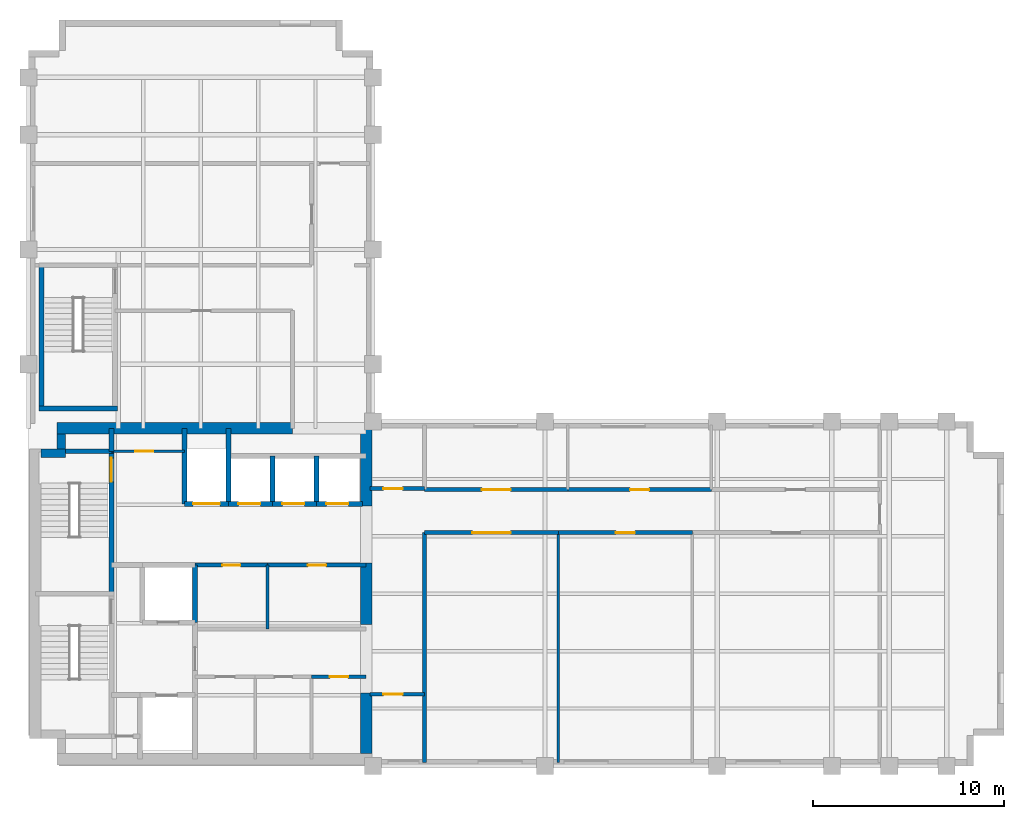
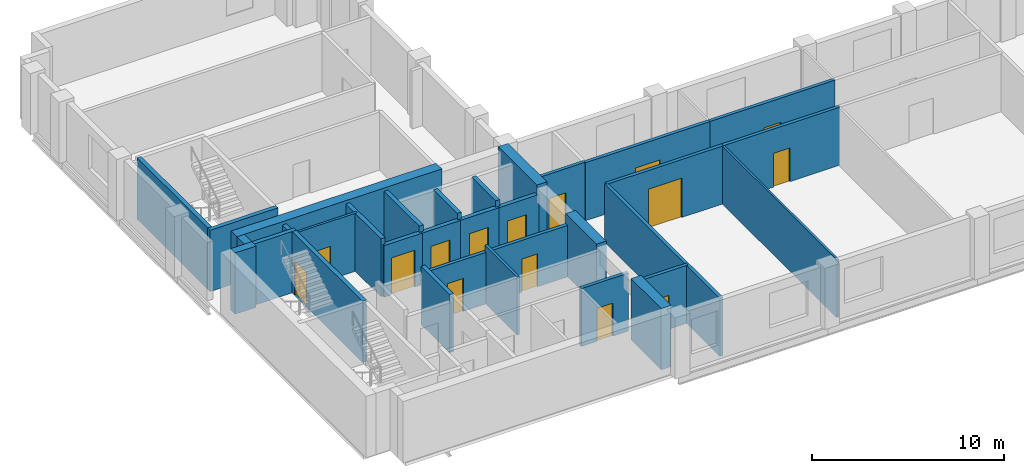
# One storey, part 3 of 6: 33 walls, 15 doors, 15 openings.
"""IFC4 building model written with IfcOpenShell, lengths in metres."""

from ifc_helpers import new_model, si_unit, direction, frame, frame_2d, origin, place, context, subcontext, project, spatial, rectangle, extrude, material, layer, layer_set, type_object, element, fill, save


model = new_model("IFC4")

# Units and contexts
model_context = context("Model", 3, precision=1e-05, world=origin(), true_north=direction((0.0, 1.0)))
body_context = subcontext(model_context, "Body", "Model", "MODEL_VIEW")
ifc_project = project(units=[si_unit("LENGTHUNIT", "METRE"), si_unit("AREAUNIT", "SQUARE_METRE"), si_unit("VOLUMEUNIT", "CUBIC_METRE"), si_unit("PLANEANGLEUNIT", "RADIAN"), si_unit("MASSUNIT", "GRAM", prefix="KILO")], contexts=[model_context])

# Site, building, storey
site_placement = place(None, origin())
site = spatial("IfcSite", under=ifc_project, at=site_placement, CompositionType="ELEMENT")
building_placement = place(site_placement, origin())
building = spatial("IfcBuilding", under=site, at=building_placement, Name="Mawjdan Bourse Tower", CompositionType="ELEMENT")
storey_placement = place(building_placement, frame((0.0, 0.0, 207.300048828125)))
storey = spatial("IfcBuildingStorey", under=building, at=storey_placement, Name="L50", CompositionType="ELEMENT", Elevation=207.300048828125)

# Wall, opening, door
ifc_material_1 = material(Name="Gypsum Fireboard Assembly")
ifc_layer_1 = layer(ifc_material_1, 0.199951171875)
ifc_layer_set_1 = layer_set([ifc_layer_1], Name="Gypsum Fireboard Assembly")
wall_type_1 = type_object("IfcWallType", Name="WL-CMP-200", PredefinedType="PARTITIONING", material=ifc_layer_set_1)
wall_1_placement = place(storey_placement, frame((20.800048828125, 7.659912109375, 0.0), z_axis=(0.0, 0.0, 1.0), x_axis=(1.0, 0.0, 0.0)))
wall_1 = element("IfcWall", 1, at=wall_1_placement, inside=storey, type_object=wall_type_1, Name="L50 Staff Beverage Pantry North Wall", PredefinedType="PARTITIONING", context=body_context, shape_type="SweptSolid", body=[
    extrude(rectangle(XDim=2.849853515625, YDim=0.199951171875, at=frame_2d((1.4248046875, 0.0))), origin(), (0.0, 0.0, 1.0), 3.68994140625),
])
opening_1_placement = place(wall_1_placement, frame((0.949951171875, 0.0, 0.0)))
opening_1 = element("IfcOpeningElement", 2, at=opening_1_placement, cuts=wall_1, Name="Opening D-L50-15", PredefinedType="OPENING", context=body_context, shape_type="SweptSolid", body=[
    extrude(rectangle(XDim=0.949951171875, YDim=2.10009765625, at=frame_2d((0.47509765625, 1.050048828125))), frame((0.0, 0.10986328125, 0.0), z_axis=(0.0, -1.0, 0.0), x_axis=(1.0, 0.0, 0.0)), (0.0, 0.0, 1.0), 0.219970703125),
])
ifc_material_2 = material(Name="Moisture-Resistant Laminate Timber", Category="wood")
door_type_1 = type_object("IfcDoorType", Name="DR-WET-0950", OperationType="NOTDEFINED", PredefinedType="DOOR", material=ifc_material_2)
door_1_placement = place(opening_1_placement, origin())
door_1 = element("IfcDoor", 3, at=door_1_placement, inside=storey, type_object=door_type_1, Name="L50 Staff Beverage Pantry Door D-L50-15", OperationType="SINGLE_SWING_LEFT", OverallHeight=2.10009765625, OverallWidth=0.949951171875, PredefinedType="DOOR", context=body_context, shape_type="SweptSolid", body=[
    extrude(rectangle(XDim=0.949951171875, YDim=2.10009765625, at=frame_2d((0.47509765625, 1.050048828125))), frame((0.0, 0.02490234375, 0.0), z_axis=(0.0, -1.0, 0.0), x_axis=(1.0, 0.0, 0.0)), (0.0, 0.0, 1.0), 0.050048828125),
])
fill(opening_1, door_1)

wall_2_placement = place(storey_placement, frame((14.699951171875, 13.5, 0.0), z_axis=(0.0, 0.0, 1.0), x_axis=(1.0, 0.0, 0.0)))
wall_2 = element("IfcWall", 4, at=wall_2_placement, inside=storey, type_object=wall_type_1, Name="L50 Accessible WC North Wall", PredefinedType="PARTITIONING", context=body_context, shape_type="SweptSolid", body=[
    extrude(rectangle(XDim=3.800048828125, YDim=0.199951171875, at=frame_2d((1.89990234375, 0.0))), origin(), (0.0, 0.0, 1.0), 3.282958984375),
])
opening_2_placement = place(wall_2_placement, frame((1.425048828125, 0.0, 0.0)))
opening_2 = element("IfcOpeningElement", 5, at=opening_2_placement, cuts=wall_2, Name="Opening D-L50-16", PredefinedType="OPENING", context=body_context, shape_type="SweptSolid", body=[
    extrude(rectangle(XDim=0.949951171875, YDim=2.10009765625, at=frame_2d((0.47509765625, 1.050048828125))), frame((0.0, 0.10986328125, 0.0), z_axis=(0.0, -1.0, 0.0), x_axis=(1.0, 0.0, 0.0)), (0.0, 0.0, 1.0), 0.219970703125),
])
door_2_placement = place(opening_2_placement, origin())
door_2 = element("IfcDoor", 6, at=door_2_placement, inside=storey, type_object=door_type_1, Name="L50 Accessible WC Door D-L50-16", OperationType="SINGLE_SWING_RIGHT", OverallHeight=2.10009765625, OverallWidth=0.949951171875, PredefinedType="DOOR", context=body_context, shape_type="SweptSolid", body=[
    extrude(rectangle(XDim=0.949951171875, YDim=2.10009765625, at=frame_2d((0.47509765625, 1.050048828125))), frame((0.0, 0.02490234375, 0.0), z_axis=(0.0, -1.0, 0.0), x_axis=(1.0, 0.0, 0.0)), (0.0, 0.0, 1.0), 0.050048828125),
])
fill(opening_2, door_2)

wall_3_placement = place(storey_placement, frame((18.5, 13.5, 0.0), z_axis=(0.0, 0.0, 1.0), x_axis=(1.0, 0.0, 0.0)))
wall_3 = element("IfcWall", 7, at=wall_3_placement, inside=storey, type_object=wall_type_1, Name="L50 Female Restroom North Wall", PredefinedType="PARTITIONING", context=body_context, shape_type="SweptSolid", body=[
    extrude(rectangle(XDim=5.14990234375, YDim=0.199951171875, at=frame_2d((2.574951171875, 0.0))), origin(), (0.0, 0.0, 1.0), 3.282958984375),
])
opening_3_placement = place(wall_3_placement, frame((2.10009765625, 0.0, 0.0)))
opening_3 = element("IfcOpeningElement", 8, at=opening_3_placement, cuts=wall_3, Name="Opening D-L50-17", PredefinedType="OPENING", context=body_context, shape_type="SweptSolid", body=[
    extrude(rectangle(XDim=0.949951171875, YDim=2.10009765625, at=frame_2d((0.47509765625, 1.050048828125))), frame((0.0, 0.10986328125, 0.0), z_axis=(0.0, -1.0, 0.0), x_axis=(1.0, 0.0, 0.0)), (0.0, 0.0, 1.0), 0.219970703125),
])
door_3_placement = place(opening_3_placement, origin())
door_3 = element("IfcDoor", 9, at=door_3_placement, inside=storey, type_object=door_type_1, Name="L50 Female Restroom Door D-L50-17", OperationType="SINGLE_SWING_LEFT", OverallHeight=2.10009765625, OverallWidth=0.949951171875, PredefinedType="DOOR", context=body_context, shape_type="SweptSolid", body=[
    extrude(rectangle(XDim=0.949951171875, YDim=2.10009765625, at=frame_2d((0.47509765625, 1.050048828125))), frame((0.0, 0.02490234375, 0.0), z_axis=(0.0, -1.0, 0.0), x_axis=(1.0, 0.0, 0.0)), (0.0, 0.0, 1.0), 0.050048828125),
])
fill(opening_3, door_3)

wall_4_placement = place(storey_placement, frame((23.85009765625, 6.75, 0.0), z_axis=(0.0, 0.0, 1.0), x_axis=(1.0, 0.0, 0.0)))
wall_4 = element("IfcWall", 10, at=wall_4_placement, inside=storey, type_object=wall_type_1, Name="L50 West Pocket North Wall", PredefinedType="PARTITIONING", context=body_context, shape_type="SweptSolid", body=[
    extrude(rectangle(XDim=2.849853515625, YDim=0.199951171875, at=frame_2d((1.4248046875, 0.0))), origin(), (0.0, 0.0, 1.0), 3.68994140625),
])
opening_4_placement = place(wall_4_placement, frame((0.699951171875, 0.0, 0.0)))
opening_4 = element("IfcOpeningElement", 11, at=opening_4_placement, cuts=wall_4, Name="Opening D-L50-20", PredefinedType="OPENING", context=body_context, shape_type="SweptSolid", body=[
    extrude(rectangle(XDim=1.0, YDim=2.14990234375, at=frame_2d((0.5, 1.074951171875))), frame((0.0, 0.10986328125, 0.0), z_axis=(0.0, -1.0, 0.0), x_axis=(1.0, 0.0, 0.0)), (0.0, 0.0, 1.0), 0.219970703125),
])
ifc_material_3 = material(Name="Hardwood Acoustic Leaf", Category="wood")
door_type_2 = type_object("IfcDoorType", Name="DR-OFC-1000", OperationType="NOTDEFINED", PredefinedType="DOOR", material=ifc_material_3)
door_4_placement = place(opening_4_placement, origin())
door_4 = element("IfcDoor", 12, at=door_4_placement, inside=storey, type_object=door_type_2, Name="L50 West Pocket Office Door D-L50-20", OperationType="SINGLE_SWING_RIGHT", OverallHeight=2.14990234375, OverallWidth=1.0, PredefinedType="DOOR", context=body_context, shape_type="SweptSolid", body=[
    extrude(rectangle(XDim=1.0, YDim=2.14990234375, at=frame_2d((0.5, 1.074951171875))), frame((0.0, 0.02490234375, 0.0), z_axis=(0.0, -1.0, 0.0), x_axis=(1.0, 0.0, 0.0)), (0.0, 0.0, 1.0), 0.050048828125),
])
fill(opening_4, door_4)

wall_5_placement = place(storey_placement, frame((23.85009765625, 17.5, 0.0), z_axis=(0.0, 0.0, 1.0), x_axis=(1.0, 0.0, 0.0)))
wall_5 = element("IfcWall", 13, at=wall_5_placement, inside=storey, type_object=wall_type_1, Name="L50 West North Pocket Wall", PredefinedType="PARTITIONING", context=body_context, shape_type="SweptSolid", body=[
    extrude(rectangle(XDim=2.849853515625, YDim=0.199951171875, at=frame_2d((1.4248046875, 0.0))), origin(), (0.0, 0.0, 1.0), 3.68994140625),
])
opening_5_placement = place(wall_5_placement, frame((0.699951171875, 0.0, 0.0)))
opening_5 = element("IfcOpeningElement", 14, at=opening_5_placement, cuts=wall_5, Name="Opening D-L50-21", PredefinedType="OPENING", context=body_context, shape_type="SweptSolid", body=[
    extrude(rectangle(XDim=1.0, YDim=2.14990234375, at=frame_2d((0.5, 1.074951171875))), frame((0.0, 0.10986328125, 0.0), z_axis=(0.0, -1.0, 0.0), x_axis=(1.0, 0.0, 0.0)), (0.0, 0.0, 1.0), 0.219970703125),
])
door_5_placement = place(opening_5_placement, origin())
door_5 = element("IfcDoor", 15, at=door_5_placement, inside=storey, type_object=door_type_2, Name="L50 West North Pocket Door D-L50-21", OperationType="SINGLE_SWING_LEFT", OverallHeight=2.14990234375, OverallWidth=1.0, PredefinedType="DOOR", context=body_context, shape_type="SweptSolid", body=[
    extrude(rectangle(XDim=1.0, YDim=2.14990234375, at=frame_2d((0.5, 1.074951171875))), frame((0.0, 0.02490234375, 0.0), z_axis=(0.0, -1.0, 0.0), x_axis=(1.0, 0.0, 0.0)), (0.0, 0.0, 1.0), 0.050048828125),
])
fill(opening_5, door_5)

# Wall
wall_6_placement = place(storey_placement, frame((26.699951171875, 3.179931640625, 0.0), z_axis=(0.0, 0.0, 1.0), x_axis=(0.0, 1.0, 0.0)))
element("IfcWall", 16, at=wall_6_placement, inside=storey, type_object=wall_type_1, Name="L50 Vestibule South East Wall", PredefinedType="PARTITIONING", context=body_context, shape_type="SweptSolid", body=[
    extrude(rectangle(XDim=12.02001953125, YDim=0.199951171875, at=frame_2d((6.010009765625, 0.0))), origin(), (0.0, 0.0, 1.0), 3.68994140625),
])

# Wall, opening, door
wall_7_placement = place(storey_placement, frame((26.699951171875, 15.199951171875, 0.0), z_axis=(0.0, 0.0, 1.0), x_axis=(1.0, 0.0, 0.0)))
wall_7 = element("IfcWall", 17, at=wall_7_placement, inside=storey, type_object=wall_type_1, Name="L50 Maritime & Energy Funds Hall Corridor Wall", PredefinedType="PARTITIONING", context=body_context, shape_type="SweptSolid", body=[
    extrude(rectangle(XDim=7.0, YDim=0.199951171875, at=frame_2d((3.5, 0.0))), origin(), (0.0, 0.0, 1.0), 3.68994140625),
])
opening_6_placement = place(wall_7_placement, frame((2.5, 0.0, 0.0)))
opening_6 = element("IfcOpeningElement", 18, at=opening_6_placement, cuts=wall_7, Name="Opening D-L50-22", PredefinedType="OPENING", context=body_context, shape_type="SweptSolid", body=[
    extrude(rectangle(XDim=2.0, YDim=2.5, at=frame_2d((1.0, 1.25))), frame((0.0, 0.10986328125, 0.0), z_axis=(0.0, -1.0, 0.0), x_axis=(1.0, 0.0, 0.0)), (0.0, 0.0, 1.0), 0.219970703125),
])
ifc_material_4 = material(Name="Acoustic Veneered Timber", Category="wood")
door_type_3 = type_object("IfcDoorType", Name="DR-ASM-2000", OperationType="DOUBLE_DOOR_SINGLE_SWING", PredefinedType="DOOR", material=ifc_material_4)
door_6_placement = place(opening_6_placement, origin())
door_6 = element("IfcDoor", 19, at=door_6_placement, inside=storey, type_object=door_type_3, Name="L50 Maritime & Energy Funds Hall Door D-L50-22", OperationType="DOUBLE_DOOR_SINGLE_SWING", OverallHeight=2.5, OverallWidth=2.0, PredefinedType="DOOR", context=body_context, shape_type="SweptSolid", body=[
    extrude(rectangle(XDim=2.0, YDim=2.5, at=frame_2d((1.0, 1.25))), frame((0.0, 0.02490234375, 0.0), z_axis=(0.0, -1.0, 0.0), x_axis=(1.0, 0.0, 0.0)), (0.0, 0.0, 1.0), 0.050048828125),
])
fill(opening_6, door_6)

wall_8_placement = place(storey_placement, frame((33.699951171875, 15.199951171875, 0.0), z_axis=(0.0, 0.0, 1.0), x_axis=(1.0, 0.0, 0.0)))
wall_8 = element("IfcWall", 20, at=wall_8_placement, inside=storey, type_object=wall_type_1, Name="L50 Executive Office Corridor Wall", PredefinedType="PARTITIONING", context=body_context, shape_type="SweptSolid", body=[
    extrude(rectangle(XDim=7.0, YDim=0.199951171875, at=frame_2d((3.5, 0.0))), origin(), (0.0, 0.0, 1.0), 3.68994140625),
])
opening_7_placement = place(wall_8_placement, frame((3.0, 0.0, 0.0)))
opening_7 = element("IfcOpeningElement", 21, at=opening_7_placement, cuts=wall_8, Name="Opening D-L50-23", PredefinedType="OPENING", context=body_context, shape_type="SweptSolid", body=[
    extrude(rectangle(XDim=1.0, YDim=2.14990234375, at=frame_2d((0.5, 1.074951171875))), frame((0.0, 0.10986328125, 0.0), z_axis=(0.0, -1.0, 0.0), x_axis=(1.0, 0.0, 0.0)), (0.0, 0.0, 1.0), 0.219970703125),
])
door_7_placement = place(opening_7_placement, origin())
door_7 = element("IfcDoor", 22, at=door_7_placement, inside=storey, type_object=door_type_2, Name="L50 Executive Office Door D-L50-23", OperationType="SINGLE_SWING_RIGHT", OverallHeight=2.14990234375, OverallWidth=1.0, PredefinedType="DOOR", context=body_context, shape_type="SweptSolid", body=[
    extrude(rectangle(XDim=1.0, YDim=2.14990234375, at=frame_2d((0.5, 1.074951171875))), frame((0.0, 0.02490234375, 0.0), z_axis=(0.0, -1.0, 0.0), x_axis=(1.0, 0.0, 0.0)), (0.0, 0.0, 1.0), 0.050048828125),
])
fill(opening_7, door_7)

wall_9_placement = place(storey_placement, frame((26.699951171875, 17.449951171875, 0.0), z_axis=(0.0, 0.0, 1.0), x_axis=(1.0, 0.0, 0.0)))
wall_9 = element("IfcWall", 23, at=wall_9_placement, inside=storey, type_object=wall_type_1, Name="L50 Conference Room Corridor Wall", PredefinedType="PARTITIONING", context=body_context, shape_type="SweptSolid", body=[
    extrude(rectangle(XDim=7.5, YDim=0.199951171875, at=frame_2d((3.75, 0.0))), origin(), (0.0, 0.0, 1.0), 3.68994140625),
])
opening_8_placement = place(wall_9_placement, frame((3.0, 0.0, 0.0)))
opening_8 = element("IfcOpeningElement", 24, at=opening_8_placement, cuts=wall_9, Name="Opening D-L50-25", PredefinedType="OPENING", context=body_context, shape_type="SweptSolid", body=[
    extrude(rectangle(XDim=1.5, YDim=2.300048828125, at=frame_2d((0.75, 1.14990234375))), frame((0.0, 0.10986328125, 0.0), z_axis=(0.0, -1.0, 0.0), x_axis=(1.0, 0.0, 0.0)), (0.0, 0.0, 1.0), 0.219970703125),
])
ifc_material_5 = material(Name="Acoustic Glazed Timber", Category="wood")
door_type_4 = type_object("IfcDoorType", Name="DR-CNF-1500", OperationType="DOUBLE_DOOR_SINGLE_SWING", PredefinedType="DOOR", material=ifc_material_5)
door_8_placement = place(opening_8_placement, origin())
door_8 = element("IfcDoor", 25, at=door_8_placement, inside=storey, type_object=door_type_4, Name="L50 Conference Room Door D-L50-25", OperationType="DOUBLE_DOOR_SINGLE_SWING", OverallHeight=2.300048828125, OverallWidth=1.5, PredefinedType="DOOR", context=body_context, shape_type="SweptSolid", body=[
    extrude(rectangle(XDim=1.5, YDim=2.300048828125, at=frame_2d((0.75, 1.14990234375))), frame((0.0, 0.02490234375, 0.0), z_axis=(0.0, -1.0, 0.0), x_axis=(1.0, 0.0, 0.0)), (0.0, 0.0, 1.0), 0.050048828125),
])
fill(opening_8, door_8)

wall_10_placement = place(storey_placement, frame((34.199951171875, 17.449951171875, 0.0), z_axis=(0.0, 0.0, 1.0), x_axis=(1.0, 0.0, 0.0)))
wall_10 = element("IfcWall", 26, at=wall_10_placement, inside=storey, type_object=wall_type_1, Name="L50 ESG Research Library Corridor Wall", PredefinedType="PARTITIONING", context=body_context, shape_type="SweptSolid", body=[
    extrude(rectangle(XDim=7.5, YDim=0.199951171875, at=frame_2d((3.75, 0.0))), origin(), (0.0, 0.0, 1.0), 3.68994140625),
])
opening_9_placement = place(wall_10_placement, frame((3.25, 0.0, 0.0)))
opening_9 = element("IfcOpeningElement", 27, at=opening_9_placement, cuts=wall_10, Name="Opening D-L50-26", PredefinedType="OPENING", context=body_context, shape_type="SweptSolid", body=[
    extrude(rectangle(XDim=1.0, YDim=2.14990234375, at=frame_2d((0.5, 1.074951171875))), frame((0.0, 0.10986328125, 0.0), z_axis=(0.0, -1.0, 0.0), x_axis=(1.0, 0.0, 0.0)), (0.0, 0.0, 1.0), 0.219970703125),
])
door_9_placement = place(opening_9_placement, origin())
door_9 = element("IfcDoor", 28, at=door_9_placement, inside=storey, type_object=door_type_2, Name="L50 ESG Research Library Door D-L50-26", OperationType="SINGLE_SWING_LEFT", OverallHeight=2.14990234375, OverallWidth=1.0, PredefinedType="DOOR", context=body_context, shape_type="SweptSolid", body=[
    extrude(rectangle(XDim=1.0, YDim=2.14990234375, at=frame_2d((0.5, 1.074951171875))), frame((0.0, 0.02490234375, 0.0), z_axis=(0.0, -1.0, 0.0), x_axis=(1.0, 0.0, 0.0)), (0.0, 0.0, 1.0), 0.050048828125),
])
fill(opening_9, door_9)

# Walls
ifc_material_6 = material(Name="Concrete C60/75", Category="concrete")
ifc_layer_2 = layer(ifc_material_6, 0.449951171875)
ifc_layer_set_2 = layer_set([ifc_layer_2], Name="Concrete C60/75")
wall_type_2 = type_object("IfcWallType", Name="WL-CORE-450", PredefinedType="SHEAR", material=ifc_layer_set_2)
wall_11_placement = place(storey_placement, frame((6.64990234375, 19.35009765625, 0.0), z_axis=(0.0, 0.0, 1.0), x_axis=(1.0, 0.0, 0.0)))
element("IfcWall", 29, at=wall_11_placement, inside=storey, type_object=wall_type_2, Name="L50 Rear Core Shear Wall NW-X", PredefinedType="SHEAR", context=body_context, shape_type="SweptSolid", body=[
    extrude(rectangle(XDim=1.275146484375, YDim=0.449951171875, at=frame_2d((0.6376953125, 0.0))), origin(), (0.0, 0.0, 1.0), 3.89990234375),
])
wall_12_placement = place(storey_placement, frame((7.699951171875, 19.574951171875, 0.0), z_axis=(0.0, 0.0, 1.0), x_axis=(0.0, 1.0, 0.0)))
element("IfcWall", 30, at=wall_12_placement, inside=storey, type_object=wall_type_2, Name="L50 Rear Core Shear Wall NW-Y", PredefinedType="SHEAR", context=body_context, shape_type="SweptSolid", body=[
    extrude(rectangle(XDim=0.775146484375, YDim=0.449951171875, at=frame_2d((0.3876953125, 0.0))), origin(), (0.0, 0.0, 1.0), 3.89990234375),
])
ifc_material_7 = material(Name="Concrete C70/85", Category="concrete")
ifc_layer_3 = layer(ifc_material_7, 0.60009765625)
ifc_layer_set_3 = layer_set([ifc_layer_3], Name="Concrete C70/85")
wall_type_3 = type_object("IfcWallType", Name="WL-CORE-600", PredefinedType="SHEAR", material=ifc_layer_set_3)
wall_13_placement = place(storey_placement, frame((7.47509765625, 20.64990234375, 0.0), z_axis=(0.0, 0.0, 1.0), x_axis=(1.0, 0.0, 0.0)))
element("IfcWall", 31, at=wall_13_placement, inside=storey, type_object=wall_type_3, Name="L50 Rear Core Shear Wall N", PredefinedType="SHEAR", context=body_context, shape_type="SweptSolid", body=[
    extrude(rectangle(XDim=12.324951171875, YDim=0.60009765625, at=frame_2d((6.16259765625, 0.0))), origin(), (0.0, 0.0, 1.0), 3.89990234375),
])
wall_14_placement = place(storey_placement, frame((23.64990234375, 3.64990234375, 0.0), z_axis=(0.0, 0.0, 1.0), x_axis=(0.0, 1.0, 0.0)))
element("IfcWall", 32, at=wall_14_placement, inside=storey, type_object=wall_type_3, Name="L50 Rear Core Shear Wall E1", PredefinedType="SHEAR", context=body_context, shape_type="SweptSolid", body=[
    extrude(rectangle(XDim=3.150146484375, YDim=0.60009765625, at=frame_2d((1.5751953125, 0.0))), origin(), (0.0, 0.0, 1.0), 3.89990234375),
])
wall_15_placement = place(storey_placement, frame((23.64990234375, 10.39990234375, 0.0), z_axis=(0.0, 0.0, 1.0), x_axis=(0.0, 1.0, 0.0)))
element("IfcWall", 33, at=wall_15_placement, inside=storey, type_object=wall_type_3, Name="L50 Rear Core Shear Wall E2", PredefinedType="SHEAR", context=body_context, shape_type="SweptSolid", body=[
    extrude(rectangle(XDim=3.2001953125, YDim=0.60009765625, at=frame_2d((1.60009765625, 0.0))), origin(), (0.0, 0.0, 1.0), 3.89990234375),
])
wall_16_placement = place(storey_placement, frame((23.64990234375, 16.60009765625, 0.0), z_axis=(0.0, 0.0, 1.0), x_axis=(0.0, 1.0, 0.0)))
element("IfcWall", 34, at=wall_16_placement, inside=storey, type_object=wall_type_3, Name="L50 Rear Core Shear Wall E3", PredefinedType="SHEAR", context=body_context, shape_type="SweptSolid", body=[
    extrude(rectangle(XDim=4.0498046875, YDim=0.60009765625, at=frame_2d((2.02490234375, 0.0))), origin(), (0.0, 0.0, 1.0), 3.89990234375),
])
ifc_material_8 = material(Name="Gypsum Partition")
ifc_layer_4 = layer(ifc_material_8, 0.125)
ifc_layer_set_4 = layer_set([ifc_layer_4], Name="Gypsum Partition")
wall_type_4 = type_object("IfcWallType", Name="WL-PRT-125", PredefinedType="PARTITIONING", material=ifc_layer_set_4)
wall_17_placement = place(storey_placement, frame((33.699951171875, 3.179931640625, 0.0), z_axis=(0.0, 0.0, 1.0), x_axis=(0.0, 1.0, 0.0)))
element("IfcWall", 35, at=wall_17_placement, inside=storey, type_object=wall_type_4, Name="L50 Executive Office Partition", PredefinedType="PARTITIONING", context=body_context, shape_type="SweptSolid", body=[
    extrude(rectangle(XDim=12.02001953125, YDim=0.125, at=frame_2d((6.010009765625, 0.0))), origin(), (0.0, 0.0, 1.0), 3.68994140625),
])
ifc_material_9 = material(Name="Gypsum Acoustic Partition")
ifc_layer_5 = layer(ifc_material_9, 0.14990234375)
ifc_layer_set_5 = layer_set([ifc_layer_5], Name="Gypsum Acoustic Partition")
wall_type_5 = type_object("IfcWallType", Name="WL-PRT-150", PredefinedType="PARTITIONING", material=ifc_layer_set_5)
wall_18_placement = place(storey_placement, frame((18.5, 10.14990234375, 0.0), z_axis=(0.0, 0.0, 1.0), x_axis=(0.0, 1.0, 0.0)))
element("IfcWall", 36, at=wall_18_placement, inside=storey, type_object=wall_type_5, Name="L50 Female Restroom Split Wall", PredefinedType="PARTITIONING", context=body_context, shape_type="SweptSolid", body=[
    extrude(rectangle(XDim=3.35009765625, YDim=0.14990234375, at=frame_2d((1.675048828125, 0.0))), origin(), (0.0, 0.0, 1.0), 3.68994140625),
])

# Wall, opening, door
wall_19_placement = place(storey_placement, frame((10.330078125, 19.449951171875, 0.0), z_axis=(0.0, 0.0, 1.0), x_axis=(1.0, 0.0, 0.0)))
wall_19 = element("IfcWall", 37, at=wall_19_placement, inside=storey, type_object=wall_type_5, Name="L50 Housekeeping South Wall", PredefinedType="PARTITIONING", context=body_context, shape_type="SweptSolid", body=[
    extrude(rectangle(XDim=3.81982421875, YDim=0.14990234375, at=frame_2d((1.909912109375, 0.0))), origin(), (0.0, 0.0, 1.0), 3.68994140625),
])
opening_10_placement = place(wall_19_placement, frame((1.25, 0.0, 0.0)))
opening_10 = element("IfcOpeningElement", 38, at=opening_10_placement, cuts=wall_19, Name="Opening D-L50-18", PredefinedType="OPENING", context=body_context, shape_type="SweptSolid", body=[
    extrude(rectangle(XDim=0.949951171875, YDim=2.10009765625, at=frame_2d((0.47509765625, 1.050048828125))), frame((0.0, 0.0849609375, 0.0), z_axis=(0.0, -1.0, 0.0), x_axis=(1.0, 0.0, 0.0)), (0.0, 0.0, 1.0), 0.169921875),
])
door_10_placement = place(opening_10_placement, origin())
door_10 = element("IfcDoor", 39, at=door_10_placement, inside=storey, type_object=door_type_1, Name="L50 Housekeeping Closet Door D-L50-18", OperationType="SINGLE_SWING_RIGHT", OverallHeight=2.10009765625, OverallWidth=0.949951171875, PredefinedType="DOOR", context=body_context, shape_type="SweptSolid", body=[
    extrude(rectangle(XDim=0.949951171875, YDim=2.10009765625, at=frame_2d((0.47509765625, 1.050048828125))), frame((0.0, 0.02490234375, 0.0), z_axis=(0.0, -1.0, 0.0), x_axis=(1.0, 0.0, 0.0)), (0.0, 0.0, 1.0), 0.050048828125),
])
fill(opening_10, door_10)

# Walls
ifc_material_10 = material(Name="Concrete C50/60", Category="concrete")
ifc_layer_6 = layer(ifc_material_10, 0.25)
ifc_layer_set_6 = layer_set([ifc_layer_6], Name="Concrete C50/60")
wall_type_6 = type_object("IfcWallType", Name="WL-SHFT-250", PredefinedType="PARTITIONING", material=ifc_layer_set_6)
wall_20_placement = place(storey_placement, frame((10.330078125, 19.449951171875, 0.0), z_axis=(0.0, 0.0, 1.0), x_axis=(0.0, 1.0, 0.0)))
element("IfcWall", 40, at=wall_20_placement, inside=storey, type_object=wall_type_6, Name="L50 NW Riser East Wall", PredefinedType="PARTITIONING", context=body_context, shape_type="SweptSolid", body=[
    extrude(rectangle(XDim=1.199951171875, YDim=0.25, at=frame_2d((0.60009765625, 0.0))), origin(), (0.0, 0.0, 1.0), 3.68994140625),
])
wall_21_placement = place(storey_placement, frame((14.699951171875, 10.5, 0.0), z_axis=(0.0, 0.0, 1.0), x_axis=(0.0, 1.0, 0.0)))
element("IfcWall", 41, at=wall_21_placement, inside=storey, type_object=wall_type_6, Name="L50 FFL-02 East Shaft Wall", PredefinedType="PARTITIONING", context=body_context, shape_type="SweptSolid", body=[
    extrude(rectangle(XDim=3.0, YDim=0.25, at=frame_2d((1.5, 0.0))), origin(), (0.0, 0.0, 1.0), 3.68994140625),
])

# Wall, opening, door
wall_22_placement = place(storey_placement, frame((14.14990234375, 16.699951171875, 0.0), z_axis=(0.0, 0.0, 1.0), x_axis=(1.0, 0.0, 0.0)))
wall_22 = element("IfcWall", 42, at=wall_22_placement, inside=storey, type_object=wall_type_6, Name="L50 SVL-01 Front Shaft Wall", PredefinedType="PARTITIONING", context=body_context, shape_type="SweptSolid", body=[
    extrude(rectangle(XDim=2.300048828125, YDim=0.25, at=frame_2d((1.14990234375, 0.0))), origin(), (0.0, 0.0, 1.0), 3.282958984375),
])
opening_11_placement = place(wall_22_placement, frame((0.449951171875, 0.0, 0.0)))
opening_11 = element("IfcOpeningElement", 43, at=opening_11_placement, cuts=wall_22, Name="Opening LD-L50-09", PredefinedType="OPENING", context=body_context, shape_type="SweptSolid", body=[
    extrude(rectangle(XDim=1.39990234375, YDim=2.35009765625, at=frame_2d((0.699951171875, 1.175048828125))), frame((0.0, 0.135009765625, 0.0), z_axis=(0.0, -1.0, 0.0), x_axis=(1.0, 0.0, 0.0)), (0.0, 0.0, 1.0), 0.27001953125),
])
ifc_material_11 = material(Name="Heavy-Duty Stainless Steel", Category="steel")
door_type_5 = type_object("IfcDoorType", Name="LD-SRV-1400", OperationType="DOUBLE_DOOR_SLIDING", PredefinedType="DOOR", material=ifc_material_11)
door_11_placement = place(opening_11_placement, origin())
door_11 = element("IfcDoor", 44, at=door_11_placement, inside=storey, type_object=door_type_5, Name="L50 Service Lift SVL-01 Landing Door LD-L50-09", OperationType="DOUBLE_DOOR_SLIDING", OverallHeight=2.35009765625, OverallWidth=1.39990234375, PredefinedType="DOOR", context=body_context, shape_type="SweptSolid", body=[
    extrude(rectangle(XDim=1.39990234375, YDim=2.35009765625, at=frame_2d((0.699951171875, 1.175048828125))), frame((0.0, 0.02490234375, 0.0), z_axis=(0.0, -1.0, 0.0), x_axis=(1.0, 0.0, 0.0)), (0.0, 0.0, 1.0), 0.050048828125),
])
fill(opening_11, door_11)

# Walls
for number, where, z_axis, x_axis, name in (
    (45, (14.14990234375, 16.699951171875, 0.0), (0.0, 0.0, 1.0), (0.0, 1.0, 0.0), "L50 SVL-01 West Shaft Wall"),
    (46, (16.449951171875, 16.699951171875, 0.0), (0.0, 0.0, 1.0), (0.0, 1.0, 0.0), "L50 SVL-01 East Shaft Wall"),
):
    element("IfcWall", number, at=place(storey_placement, frame(where, z_axis=z_axis, x_axis=x_axis)), inside=storey, type_object=wall_type_6, Name=name, PredefinedType="PARTITIONING", context=body_context, shape_type="SweptSolid", body=[
        extrude(rectangle(XDim=3.949951171875, YDim=0.25, at=frame_2d((1.97509765625, 0.0))), origin(), (0.0, 0.0, 1.0), 3.68994140625),
    ])

# Wall, opening, door
wall_23_placement = place(storey_placement, frame((16.449951171875, 16.699951171875, 0.0), z_axis=(0.0, 0.0, 1.0), x_axis=(1.0, 0.0, 0.0)))
wall_23 = element("IfcWall", 47, at=wall_23_placement, inside=storey, type_object=wall_type_6, Name="L50 PH-01 Front Wall", PredefinedType="PARTITIONING", context=body_context, shape_type="SweptSolid", body=[
    extrude(rectangle(XDim=2.300048828125, YDim=0.25, at=frame_2d((1.14990234375, 0.0))), origin(), (0.0, 0.0, 1.0), 3.282958984375),
])
opening_12_placement = place(wall_23_placement, frame((0.52001953125, 0.0, 0.0)))
opening_12 = element("IfcOpeningElement", 48, at=opening_12_placement, cuts=wall_23, Name="Opening LD-L50-10", PredefinedType="OPENING", context=body_context, shape_type="SweptSolid", body=[
    extrude(rectangle(XDim=1.14990234375, YDim=2.25, at=frame_2d((0.574951171875, 1.125))), frame((0.0, 0.135009765625, 0.0), z_axis=(0.0, -1.0, 0.0), x_axis=(1.0, 0.0, 0.0)), (0.0, 0.0, 1.0), 0.27001953125),
])
ifc_material_12 = material(Name="Brushed Stainless Steel", Category="steel")
door_type_6 = type_object("IfcDoorType", Name="LD-PAS-1150", OperationType="DOUBLE_DOOR_SLIDING", PredefinedType="DOOR", material=ifc_material_12)
door_12_placement = place(opening_12_placement, origin())
door_12 = element("IfcDoor", 49, at=door_12_placement, inside=storey, type_object=door_type_6, Name="L50 Lift PH-01 Landing Door LD-L50-10", OperationType="DOUBLE_DOOR_SLIDING", OverallHeight=2.25, OverallWidth=1.14990234375, PredefinedType="DOOR", context=body_context, shape_type="SweptSolid", body=[
    extrude(rectangle(XDim=1.14990234375, YDim=2.25, at=frame_2d((0.574951171875, 1.125))), frame((0.0, 0.02490234375, 0.0), z_axis=(0.0, -1.0, 0.0), x_axis=(1.0, 0.0, 0.0)), (0.0, 0.0, 1.0), 0.050048828125),
])
fill(opening_12, door_12)

# Wall
wall_24_placement = place(storey_placement, frame((18.75, 16.699951171875, 0.0), z_axis=(0.0, 0.0, 1.0), x_axis=(0.0, 1.0, 0.0)))
element("IfcWall", 50, at=wall_24_placement, inside=storey, type_object=wall_type_6, Name="L50 PH-01 Divider Wall", PredefinedType="PARTITIONING", context=body_context, shape_type="SweptSolid", body=[
    extrude(rectangle(XDim=2.5, YDim=0.25, at=frame_2d((1.25, 0.0))), origin(), (0.0, 0.0, 1.0), 3.68994140625),
])

# Wall, opening, door
wall_25_placement = place(storey_placement, frame((18.75, 16.699951171875, 0.0), z_axis=(0.0, 0.0, 1.0), x_axis=(1.0, 0.0, 0.0)))
wall_25 = element("IfcWall", 51, at=wall_25_placement, inside=storey, type_object=wall_type_6, Name="L50 PH-02 Front Wall", PredefinedType="PARTITIONING", context=body_context, shape_type="SweptSolid", body=[
    extrude(rectangle(XDim=2.300048828125, YDim=0.25, at=frame_2d((1.14990234375, 0.0))), origin(), (0.0, 0.0, 1.0), 3.282958984375),
])
opening_13_placement = place(wall_25_placement, frame((0.52001953125, 0.0, 0.0)))
opening_13 = element("IfcOpeningElement", 52, at=opening_13_placement, cuts=wall_25, Name="Opening LD-L50-11", PredefinedType="OPENING", context=body_context, shape_type="SweptSolid", body=[
    extrude(rectangle(XDim=1.14990234375, YDim=2.25, at=frame_2d((0.574951171875, 1.125))), frame((0.0, 0.135009765625, 0.0), z_axis=(0.0, -1.0, 0.0), x_axis=(1.0, 0.0, 0.0)), (0.0, 0.0, 1.0), 0.27001953125),
])
door_13_placement = place(opening_13_placement, origin())
door_13 = element("IfcDoor", 53, at=door_13_placement, inside=storey, type_object=door_type_6, Name="L50 Lift PH-02 Landing Door LD-L50-11", OperationType="DOUBLE_DOOR_SLIDING", OverallHeight=2.25, OverallWidth=1.14990234375, PredefinedType="DOOR", context=body_context, shape_type="SweptSolid", body=[
    extrude(rectangle(XDim=1.14990234375, YDim=2.25, at=frame_2d((0.574951171875, 1.125))), frame((0.0, 0.02490234375, 0.0), z_axis=(0.0, -1.0, 0.0), x_axis=(1.0, 0.0, 0.0)), (0.0, 0.0, 1.0), 0.050048828125),
])
fill(opening_13, door_13)

# Wall
wall_26_placement = place(storey_placement, frame((21.050048828125, 16.699951171875, 0.0), z_axis=(0.0, 0.0, 1.0), x_axis=(0.0, 1.0, 0.0)))
element("IfcWall", 54, at=wall_26_placement, inside=storey, type_object=wall_type_6, Name="L50 PH-02 Divider Wall", PredefinedType="PARTITIONING", context=body_context, shape_type="SweptSolid", body=[
    extrude(rectangle(XDim=2.5, YDim=0.25, at=frame_2d((1.25, 0.0))), origin(), (0.0, 0.0, 1.0), 3.68994140625),
])

# Wall, opening, door
wall_27_placement = place(storey_placement, frame((21.050048828125, 16.699951171875, 0.0), z_axis=(0.0, 0.0, 1.0), x_axis=(1.0, 0.0, 0.0)))
wall_27 = element("IfcWall", 55, at=wall_27_placement, inside=storey, type_object=wall_type_6, Name="L50 PH-03 Front Wall", PredefinedType="PARTITIONING", context=body_context, shape_type="SweptSolid", body=[
    extrude(rectangle(XDim=2.39990234375, YDim=0.25, at=frame_2d((1.199951171875, 0.0))), origin(), (0.0, 0.0, 1.0), 3.282958984375),
])
opening_14_placement = place(wall_27_placement, frame((0.52001953125, 0.0, 0.0)))
opening_14 = element("IfcOpeningElement", 56, at=opening_14_placement, cuts=wall_27, Name="Opening LD-L50-12", PredefinedType="OPENING", context=body_context, shape_type="SweptSolid", body=[
    extrude(rectangle(XDim=1.14990234375, YDim=2.25, at=frame_2d((0.574951171875, 1.125))), frame((0.0, 0.135009765625, 0.0), z_axis=(0.0, -1.0, 0.0), x_axis=(1.0, 0.0, 0.0)), (0.0, 0.0, 1.0), 0.27001953125),
])
door_14_placement = place(opening_14_placement, origin())
door_14 = element("IfcDoor", 57, at=door_14_placement, inside=storey, type_object=door_type_6, Name="L50 Lift PH-03 Landing Door LD-L50-12", OperationType="DOUBLE_DOOR_SLIDING", OverallHeight=2.25, OverallWidth=1.14990234375, PredefinedType="DOOR", context=body_context, shape_type="SweptSolid", body=[
    extrude(rectangle(XDim=1.14990234375, YDim=2.25, at=frame_2d((0.574951171875, 1.125))), frame((0.0, 0.02490234375, 0.0), z_axis=(0.0, -1.0, 0.0), x_axis=(1.0, 0.0, 0.0)), (0.0, 0.0, 1.0), 0.050048828125),
])
fill(opening_14, door_14)

# Wall
ifc_layer_7 = layer(ifc_material_10, 0.25)
ifc_layer_set_7 = layer_set([ifc_layer_7], Name="Concrete C50/60")
wall_type_7 = type_object("IfcWallType", Name="WL-STRW-250", PredefinedType="SHEAR", material=ifc_layer_set_7)
wall_28_placement = place(storey_placement, frame((7.699951171875, 19.449951171875, 0.0), z_axis=(0.0, 0.0, 1.0), x_axis=(1.0, 0.0, 0.0)))
element("IfcWall", 58, at=wall_28_placement, inside=storey, type_object=wall_type_7, Name="L50 Stairwell ST2 North Shaft Wall", PredefinedType="SHEAR", context=body_context, shape_type="SweptSolid", body=[
    extrude(rectangle(XDim=2.755126953125, YDim=0.25, at=frame_2d((1.37744140625, 0.0))), origin(), (0.0, 0.0, 1.0), 3.89990234375),
])

# Wall, opening, door
wall_29_placement = place(storey_placement, frame((10.330078125, 12.0, 0.0), z_axis=(0.0, 0.0, 1.0), x_axis=(0.0, 1.0, 0.0)))
wall_29 = element("IfcWall", 59, at=wall_29_placement, inside=storey, type_object=wall_type_7, Name="L50 Stairwell ST2 East Enclosure Wall", PredefinedType="SHEAR", context=body_context, shape_type="SweptSolid", body=[
    extrude(rectangle(XDim=7.449951171875, YDim=0.25, at=frame_2d((3.72509765625, 0.0))), origin(), (0.0, 0.0, 1.0), 3.89990234375),
])
opening_15_placement = place(wall_29_placement, frame((5.85009765625, 0.0, 0.0)))
opening_15 = element("IfcOpeningElement", 60, at=opening_15_placement, cuts=wall_29, Name="Opening SD-L50-02", PredefinedType="OPENING", context=body_context, shape_type="SweptSolid", body=[
    extrude(rectangle(XDim=1.25, YDim=2.199951171875, at=frame_2d((0.625, 1.10009765625))), frame((0.0, 0.135009765625, 0.0), z_axis=(0.0, -1.0, 0.0), x_axis=(1.0, 0.0, 0.0)), (0.0, 0.0, 1.0), 0.27001953125),
])
ifc_material_13 = material(Name="Fire-Rated Steel Leaf", Category="steel")
door_type_7 = type_object("IfcDoorType", Name="FD-ST-1250", OperationType="NOTDEFINED", PredefinedType="DOOR", material=ifc_material_13)
door_15_placement = place(opening_15_placement, origin())
door_15 = element("IfcDoor", 61, at=door_15_placement, inside=storey, type_object=door_type_7, Name="L50 Exit Stair ST2 Fire Door SD-L50-02", OperationType="SINGLE_SWING_RIGHT", OverallHeight=2.199951171875, OverallWidth=1.25, PredefinedType="DOOR", context=body_context, shape_type="SweptSolid", body=[
    extrude(rectangle(XDim=1.25, YDim=2.199951171875, at=frame_2d((0.625, 1.10009765625))), frame((0.0, 0.02490234375, 0.0), z_axis=(0.0, -1.0, 0.0), x_axis=(1.0, 0.0, 0.0)), (0.0, 0.0, 1.0), 0.050048828125),
])
fill(opening_15, door_15)

# Walls
wall_30_placement = place(storey_placement, frame((6.554931640625, 21.679931640625, 0.0), z_axis=(0.0, 0.0, 1.0), x_axis=(1.0, 0.0, 0.0)))
element("IfcWall", 62, at=wall_30_placement, inside=storey, type_object=wall_type_7, Name="L50 ST3 South Shaft Wall", PredefinedType="SHEAR", context=body_context, shape_type="SweptSolid", body=[
    extrude(rectangle(XDim=4.090087890625, YDim=0.25, at=frame_2d((2.044921875, 0.0))), origin(), (0.0, 0.0, 1.0), 3.89990234375),
])
wall_31_placement = place(storey_placement, frame((6.679931640625, 21.679931640625, 0.0), z_axis=(0.0, 0.0, 1.0), x_axis=(0.0, 1.0, 0.0)))
element("IfcWall", 63, at=wall_31_placement, inside=storey, type_object=wall_type_7, Name="L50 ST3 West Shaft Wall", PredefinedType="SHEAR", context=body_context, shape_type="SweptSolid", body=[
    extrude(rectangle(XDim=7.5, YDim=0.25, at=frame_2d((3.75, 0.0))), origin(), (0.0, 0.0, 1.0), 3.89990234375),
])

save(model, "model.ifc")
